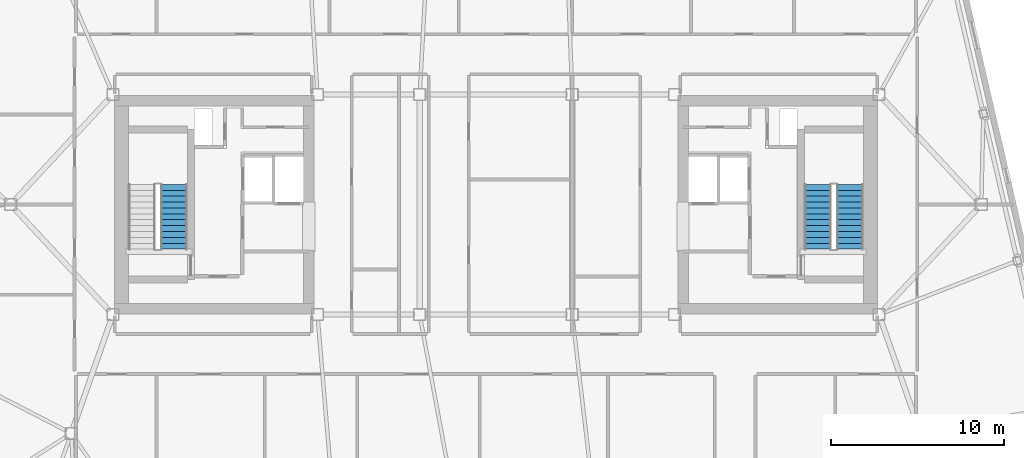
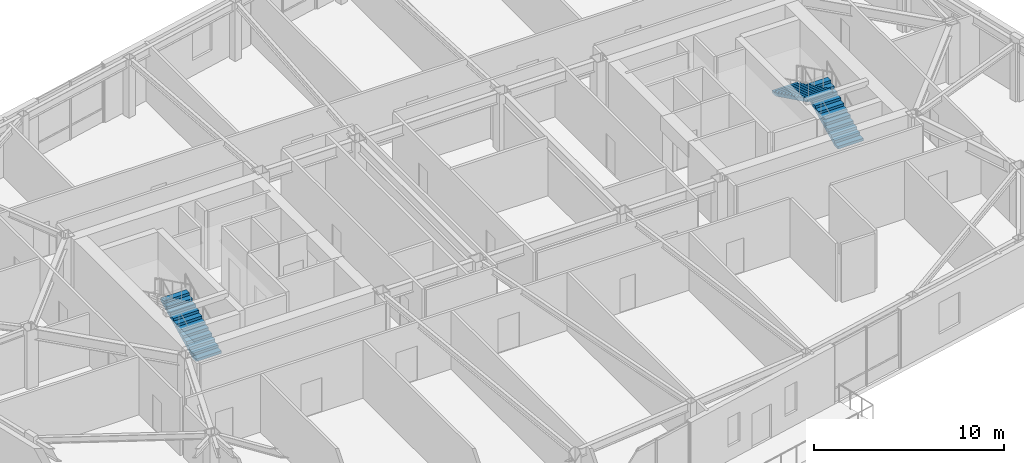
# One storey, part 19 of 23: 3 stair flights, 2 elements without a shape of their own.
"""IFC4 building model written with IfcOpenShell, lengths in metres."""

import ifcopenshell
import ifcopenshell.guid

model = None  # the IFC model being written
_history = None  # IfcOwnerHistory: only IFC2X3 demands one
_inside = {}  # id of a spatial element -> (the spatial element, [elements in it])
_under = {}  # id of a project, library or spatial element -> (it, [spatial elements below it])
_declared = {}  # id of a project -> (the project, [libraries it declares])
_typed = {}  # id of a type object -> (the type object, [elements of that type])
_made_of = {}  # id of a material, layer set ... -> (it, [elements and type objects made of it])


def new_model(schema):
    """Start an empty IFC model of exactly this schema.

    Asked for "IFC4X3", IfcOpenShell would pick the latest addendum, in which some entities
    have other attributes; the version numbers below select the first issue.
    IFC2X3 requires an IfcOwnerHistory on every rooted entity: one is made here for all.
    """
    global model, _history
    if schema == "IFC4X3":
        model = ifcopenshell.file(schema_version=(4, 3, 0, 0))
    else:
        model = ifcopenshell.file(schema=schema)
    _inside.clear()
    _under.clear()
    _declared.clear()
    _typed.clear()
    _made_of.clear()
    _history = None
    if model.schema == "IFC2X3":
        org = make("IfcOrganization", Name="unknown")
        user = make(
            "IfcPersonAndOrganization",
            ThePerson=make("IfcPerson", FamilyName="unknown"),
            TheOrganization=org,
        )
        app = make(
            "IfcApplication",
            ApplicationDeveloper=org,
            Version="unknown",
            ApplicationFullName="unknown",
            ApplicationIdentifier="unknown",
        )
        _history = make(
            "IfcOwnerHistory",
            OwningUser=user,
            OwningApplication=app,
            ChangeAction="ADDED",
            CreationDate=0,
        )
    return model


def make(cls, **values):
    """One entity of the class cls with the attributes given. An attribute that is None is left unset."""
    return model.create_entity(
        cls, **{name: value for name, value in values.items() if value is not None}
    )


def rooted(cls, **values):
    """An entity with a GlobalId (a new one), such as an element, a storey or a relation."""
    return make(cls, GlobalId=ifcopenshell.guid.new(), OwnerHistory=_history, **values)


def si_unit(unit_type, name, prefix=None):
    """IfcSIUnit, for example si_unit("LENGTHUNIT", "METRE", prefix="MILLI")."""
    return make("IfcSIUnit", UnitType=unit_type, Prefix=prefix, Name=name)


def assignment(units):
    """IfcUnitAssignment: the units of a project."""
    return None if units is None else make("IfcUnitAssignment", Units=units)


def point(xyz):
    """IfcCartesianPoint."""
    return None if xyz is None else make("IfcCartesianPoint", Coordinates=xyz)


def direction(xyz):
    """IfcDirection."""
    return None if xyz is None else make("IfcDirection", DirectionRatios=xyz)


def frame(location, z_axis=None, x_axis=None):
    """IfcAxis2Placement3D, a coordinate frame: its origin and axes. An axis left out is left unset."""
    return make(
        "IfcAxis2Placement3D",
        Location=point(location),
        Axis=direction(z_axis),
        RefDirection=direction(x_axis),
    )


def origin():
    """The frame at (0, 0, 0) with its axes left unset."""
    return frame((0.0, 0.0, 0.0))


def place(relative_to, where):
    """IfcLocalPlacement: puts the frame where relative to a parent placement (None: the world)."""
    return make(
        "IfcLocalPlacement", PlacementRelTo=relative_to, RelativePlacement=where
    )


def context(
    kind, dimensions, precision=None, world=None, true_north=None, identifier=None
):
    """IfcGeometricRepresentationContext, for example the 3D "Model" context."""
    return make(
        "IfcGeometricRepresentationContext",
        ContextIdentifier=identifier,
        ContextType=kind,
        CoordinateSpaceDimension=dimensions,
        Precision=precision,
        WorldCoordinateSystem=world,
        TrueNorth=true_north,
    )


def subcontext(parent, identifier, kind, view, scale=None):
    """IfcGeometricRepresentationSubContext, for example "Body" below "Model"."""
    return make(
        "IfcGeometricRepresentationSubContext",
        ContextIdentifier=identifier,
        ContextType=kind,
        ParentContext=parent,
        TargetScale=scale,
        TargetView=view,
    )


def project(units=None, contexts=None):
    """IfcProject with its units and contexts."""
    return rooted(
        "IfcProject",
        Name="project",
        RepresentationContexts=contexts,
        UnitsInContext=assignment(units),
    )


def spatial(cls, under=None, at=None, **own):
    """A site, building, storey or space (cls), placed at a placement, below another one or the project."""
    s = rooted(cls, ObjectPlacement=at, **own)
    if under is not None:
        _under.setdefault(under.id(), (under, []))[1].append(s)
    return s


def polyline(points):
    """IfcPolyline through the points."""
    return make("IfcPolyline", Points=[point(p) for p in points])


def outline(outer, holes=None, kind="AREA"):
    """IfcArbitraryClosedProfileDef: a profile drawn as a closed curve; with holes, ...WithVoids."""
    if holes is None:
        return make("IfcArbitraryClosedProfileDef", ProfileType=kind, OuterCurve=outer)
    return make(
        "IfcArbitraryProfileDefWithVoids",
        ProfileType=kind,
        OuterCurve=outer,
        InnerCurves=holes,
    )


def extrude(swept, where, along, depth):
    """IfcExtrudedAreaSolid: the profile swept, set in the frame where, extruded along a direction by depth."""
    return make(
        "IfcExtrudedAreaSolid",
        SweptArea=swept,
        Position=where,
        ExtrudedDirection=direction(along),
        Depth=depth,
    )


def shape(context_of_items, identifier, shape_type, items):
    """IfcShapeRepresentation: the items that make up one representation, for example the "Body"."""
    return make(
        "IfcShapeRepresentation",
        ContextOfItems=context_of_items,
        RepresentationIdentifier=identifier,
        RepresentationType=shape_type,
        Items=items,
    )


def material(Name=None, Category=None):
    """IfcMaterial."""
    return make("IfcMaterial", Name=Name, Category=Category)


def made_of(thing, what):
    """Note that an element or type object is made of a material, layer set ...; save() writes the relation."""
    if what is not None:
        _made_of.setdefault(what.id(), (what, []))[1].append(thing)
    return thing


def type_object(cls, material=None, **own):
    """A type object (cls), such as IfcWallType, which elements share."""
    return made_of(rooted(cls, **own), material)


def element(
    cls,
    number,
    at=None,
    inside=None,
    cuts=None,
    type_object=None,
    material=None,
    context=None,
    identifier="Body",
    shape_type=None,
    held_by="IfcProductDefinitionShape",
    body=None,
    shapes=None,
    **own,
):
    """One element of the class cls, such as IfcWall. Its Tag is "e" and its number.

    at: its placement. inside: the storey or other place that contains it. cuts: it is an
    opening in that element (IfcRelVoidsElement). A single representation is given by context,
    identifier, shape_type and body (its items); several are given by shapes. held_by: the class
    of the entity that holds the representations. save() writes the other relations.
    """
    e = rooted(cls, Tag="e%d" % number, ObjectPlacement=at, **own)
    if body is not None:
        shapes = [shape(context, identifier, shape_type, body)]
    if shapes is not None:
        e.Representation = make(held_by, Representations=shapes)
    if inside is not None:
        _inside.setdefault(inside.id(), (inside, []))[1].append(e)
    if cuts is not None:
        rooted(
            "IfcRelVoidsElement", RelatingBuildingElement=cuts, RelatedOpeningElement=e
        )
    if type_object is not None:
        _typed.setdefault(type_object.id(), (type_object, []))[1].append(e)
    return made_of(e, material)


def aggregate(whole, parts):
    """IfcRelAggregates: a whole, such as a stair, and the parts it consists of."""
    return rooted("IfcRelAggregates", RelatingObject=whole, RelatedObjects=parts)


def save(model, path):
    """Write the relations noted so far, then the file.

    IfcRelAggregates (storeys below a building ...), IfcRelContainedInSpatialStructure (elements
    in a storey), IfcRelDefinesByType, IfcRelAssociatesMaterial and IfcRelDeclares: one each for
    every whole, place, type object, material and project.
    """
    for whole, parts in _under.values():
        aggregate(whole, parts)
    for where, things in _inside.values():
        rooted(
            "IfcRelContainedInSpatialStructure",
            RelatedElements=things,
            RelatingStructure=where,
        )
    for kind, things in _typed.values():
        rooted("IfcRelDefinesByType", RelatedObjects=things, RelatingType=kind)
    for what, things in _made_of.values():
        rooted("IfcRelAssociatesMaterial", RelatedObjects=things, RelatingMaterial=what)
    for by, libraries in _declared.values():
        rooted("IfcRelDeclares", RelatingContext=by, RelatedDefinitions=libraries)
    model.write(path)


model = new_model("IFC4")

# Units and contexts
model_context = context("Model", 3, precision=1e-05, world=origin(), true_north=direction((0.0, 1.0)))
body_context = subcontext(model_context, "Body", "Model", "MODEL_VIEW")
ifc_project = project(units=[si_unit("LENGTHUNIT", "METRE"), si_unit("AREAUNIT", "SQUARE_METRE"), si_unit("VOLUMEUNIT", "CUBIC_METRE"), si_unit("PLANEANGLEUNIT", "RADIAN"), si_unit("MASSUNIT", "GRAM", prefix="KILO")], contexts=[model_context])

# Site, building, storey
site_placement = place(None, origin())
site = spatial("IfcSite", under=ifc_project, at=site_placement, CompositionType="ELEMENT")
building_placement = place(site_placement, origin())
building = spatial("IfcBuilding", under=site, at=building_placement, Name="Tavrogorsk Clinical Tower", CompositionType="ELEMENT")
storey_placement = place(building_placement, frame((0.0, 0.0, 289.0)))
storey = spatial("IfcBuildingStorey", under=building, at=storey_placement, Name="L67", CompositionType="ELEMENT", Elevation=289.0)

# Stair, stair flight
ifc_material_1 = material(Name="Concrete B60", Category="concrete")
stair_type = type_object("IfcStairType", Name="CoreStairAssembly", PredefinedType="HALF_TURN_STAIR", material=ifc_material_1)
stair_1_placement = place(storey_placement, origin())
stair_1 = element("IfcStair", 1, at=stair_1_placement, inside=storey, type_object=stair_type, Name="L67 ST-W", PredefinedType="HALF_TURN_STAIR")
ifc_material_2 = material(Name="Concrete B60", Category="concrete")
stair_flight_type = type_object("IfcStairFlightType", Name="CoreStairFlight", PredefinedType="STRAIGHT", material=ifc_material_2)
stair_flight_1_placement = place(storey_placement, frame((-18.574951171875, -2.574951171875, 0.0), z_axis=(0.0, 0.0, 1.0), x_axis=(0.0, 1.0, 0.0)))
stair_flight_1 = element("IfcStairFlight", 2, at=stair_flight_1_placement, type_object=stair_flight_type, Name="ST-W flight 1", NumberOfRisers=12, NumberOfTreads=11, PredefinedType="STRAIGHT", RiserHeight=0.166666667, TreadLength=0.34, context=body_context, shape_type="SweptSolid", body=[
    extrude(outline(polyline([(0.0, 0.0), (0.0, 0.166748046875), (0.340087890625, 0.166748046875), (0.340087890625, 0.333251953125), (0.679931640625, 0.333251953125), (0.679931640625, 0.5), (1.02001953125, 0.5), (1.02001953125, 0.666748046875), (1.360107421875, 0.666748046875), (1.360107421875, 0.833251953125), (1.699951171875, 0.833251953125), (1.699951171875, 1.0), (2.0400390625, 1.0), (2.0400390625, 1.166748046875), (2.3798828125, 1.166748046875), (2.3798828125, 1.333251953125), (2.719970703125, 1.333251953125), (2.719970703125, 1.5), (3.06005859375, 1.5), (3.06005859375, 1.666748046875), (3.39990234375, 1.666748046875), (3.39990234375, 1.833251953125), (3.739990234375, 1.833251953125), (3.739990234375, 2.0), (3.739990234375, 1.66650390625), (0.340576171875, 0.0), (0.0, 0.0)])), frame((0.0, 0.77490234375, 0.0), z_axis=(0.0, -1.0, 0.0), x_axis=(1.0, 0.0, 0.0)), (0.0, 0.0, 1.0), 1.550048828125),
])
aggregate(stair_1, [stair_flight_1])

# Stair, stair flights
stair_2_placement = place(storey_placement, origin())
stair_2 = element("IfcStair", 3, at=stair_2_placement, inside=storey, type_object=stair_type, Name="L67 ST-E", PredefinedType="HALF_TURN_STAIR")
stair_flight_2_placement = place(storey_placement, frame((20.425048828125, -2.574951171875, 0.0), z_axis=(0.0, 0.0, 1.0), x_axis=(0.0, 1.0, 0.0)))
stair_flight_2 = element("IfcStairFlight", 4, at=stair_flight_2_placement, type_object=stair_flight_type, Name="ST-E flight 1", NumberOfRisers=12, NumberOfTreads=11, PredefinedType="STRAIGHT", RiserHeight=0.166666667, TreadLength=0.34, context=body_context, shape_type="SweptSolid", body=[
    extrude(outline(polyline([(0.0, 0.0), (0.0, 0.166748046875), (0.340087890625, 0.166748046875), (0.340087890625, 0.333251953125), (0.679931640625, 0.333251953125), (0.679931640625, 0.5), (1.02001953125, 0.5), (1.02001953125, 0.666748046875), (1.360107421875, 0.666748046875), (1.360107421875, 0.833251953125), (1.699951171875, 0.833251953125), (1.699951171875, 1.0), (2.0400390625, 1.0), (2.0400390625, 1.166748046875), (2.3798828125, 1.166748046875), (2.3798828125, 1.333251953125), (2.719970703125, 1.333251953125), (2.719970703125, 1.5), (3.06005859375, 1.5), (3.06005859375, 1.666748046875), (3.39990234375, 1.666748046875), (3.39990234375, 1.833251953125), (3.739990234375, 1.833251953125), (3.739990234375, 2.0), (3.739990234375, 1.66650390625), (0.340576171875, 0.0), (0.0, 0.0)])), frame((0.0, 0.77490234375, 0.0), z_axis=(0.0, -1.0, 0.0), x_axis=(1.0, 0.0, 0.0)), (0.0, 0.0, 1.0), 1.550048828125),
])
stair_flight_3_placement = place(storey_placement, frame((18.574951171875, 1.1650390625, 2.0), z_axis=(0.0, 0.0, 1.0), x_axis=(0.0, -1.0, 0.0)))
stair_flight_3 = element("IfcStairFlight", 5, at=stair_flight_3_placement, type_object=stair_flight_type, Name="ST-E flight 2", NumberOfRisers=12, NumberOfTreads=11, PredefinedType="STRAIGHT", RiserHeight=0.166666667, TreadLength=0.34, context=body_context, shape_type="SweptSolid", body=[
    extrude(outline(polyline([(0.0, 0.0), (0.0, 0.166748046875), (0.340087890625, 0.166748046875), (0.340087890625, 0.333251953125), (0.679931640625, 0.333251953125), (0.679931640625, 0.5), (1.02001953125, 0.5), (1.02001953125, 0.666748046875), (1.360107421875, 0.666748046875), (1.360107421875, 0.833251953125), (1.699951171875, 0.833251953125), (1.699951171875, 1.0), (2.0400390625, 1.0), (2.0400390625, 1.166748046875), (2.3798828125, 1.166748046875), (2.3798828125, 1.333251953125), (2.719970703125, 1.333251953125), (2.719970703125, 1.5), (3.06005859375, 1.5), (3.06005859375, 1.666748046875), (3.39990234375, 1.666748046875), (3.39990234375, 1.833251953125), (3.739990234375, 1.833251953125), (3.739990234375, 2.0), (3.739990234375, 1.66650390625), (0.340576171875, 0.0), (0.0, 0.0)])), frame((0.0, 0.77490234375, 0.0), z_axis=(0.0, -1.0, 0.0), x_axis=(1.0, 0.0, 0.0)), (0.0, 0.0, 1.0), 1.550048828125),
])
aggregate(stair_2, [stair_flight_2, stair_flight_3])

save(model, "model.ifc")
